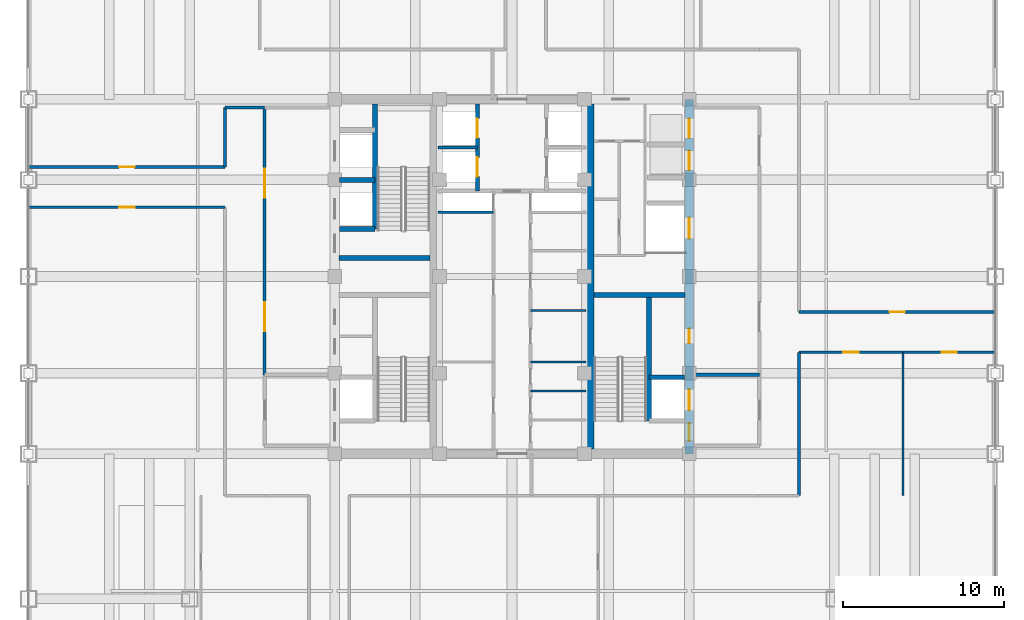
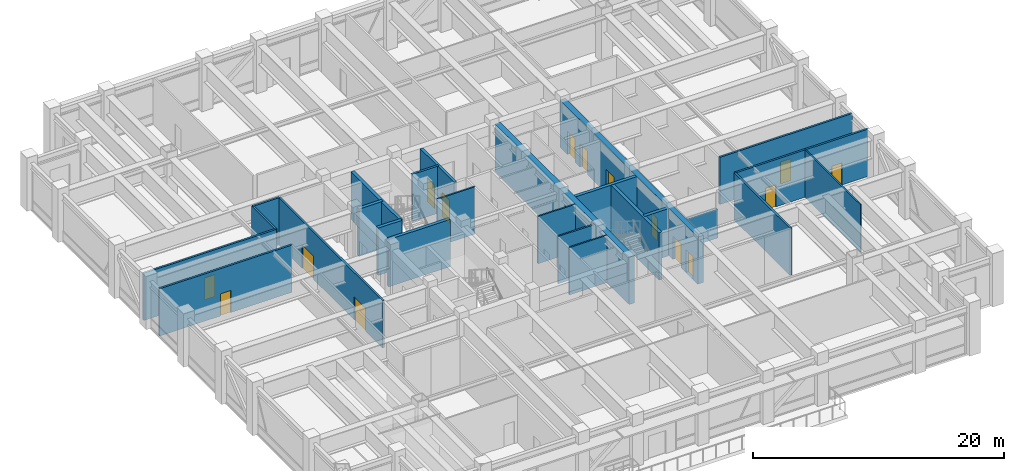
# One storey, part 25 of 33: 25 walls, 15 doors, 15 openings.
"""IFC4 building model written with IfcOpenShell, lengths in metres."""

from ifc_helpers import new_model, si_unit, direction, frame, frame_2d, origin, place, context, subcontext, project, spatial, rectangle, extrude, source, transform, mapped, material, layer, layer_set, type_object, element, fill, save


model = new_model("IFC4")

# Units and contexts
model_context = context("Model", 3, precision=1e-05, world=origin(), true_north=direction((0.0, 1.0)))
body_context = subcontext(model_context, "Body", "Model", "MODEL_VIEW")
ifc_project = project(units=[si_unit("LENGTHUNIT", "METRE"), si_unit("AREAUNIT", "SQUARE_METRE"), si_unit("VOLUMEUNIT", "CUBIC_METRE"), si_unit("PLANEANGLEUNIT", "RADIAN"), si_unit("MASSUNIT", "GRAM", prefix="KILO")], contexts=[model_context])

# Site, building, storey
site_placement = place(None, origin())
site = spatial("IfcSite", under=ifc_project, at=site_placement, CompositionType="ELEMENT")
building_placement = place(site_placement, origin())
building = spatial("IfcBuilding", under=site, at=building_placement, Name="Khorayat Bourse Tower", CompositionType="ELEMENT")
storey_placement = place(building_placement, frame((0.0, 0.0, 263.10009765625)))
storey = spatial("IfcBuildingStorey", under=building, at=storey_placement, Name="L62", CompositionType="ELEMENT", Elevation=263.10009765625)

# Wall, openings, doors
ifc_material_1 = material(Name="Concrete C52/65", Category="concrete")
ifc_layer_1 = layer(ifc_material_1, 0.5)
ifc_layer_set_1 = layer_set([ifc_layer_1], Name="Concrete C52/65")
wall_type_1 = type_object("IfcWallType", Name="WAL-CORE-500", PredefinedType="SHEAR", material=ifc_layer_set_1)
shared_shape_1 = source(origin(), body_context, "Body", "SweptSolid", [
    extrude(rectangle(XDim=22.0, YDim=0.5, at=frame_2d((11.0, 0.0))), origin(), (0.0, 0.0, 1.0), 4.599853515625),
])
wall_1_placement = place(storey_placement, frame((11.0, -11.0, 0.0), z_axis=(0.0, 0.0, 1.0), x_axis=(0.0, 1.0, 0.0)))
wall_1 = element("IfcWall", 1, at=wall_1_placement, inside=storey, type_object=wall_type_1, Name="L62 Core Shear Wall CORE-E", PredefinedType="SHEAR", context=body_context, shape_type="MappedRepresentation", body=[
    mapped(shared_shape_1, transform((0.0, 0.0, 0.0), scale=1.0)),
])
shared_shape_2 = source(origin(), body_context, "Body", "SweptSolid", [
    extrude(rectangle(XDim=1.10009765625, YDim=2.199951171875, at=frame_2d((0.550048828125, 1.10009765625))), frame((0.0, 0.260009765625, 0.0), z_axis=(0.0, -1.0, 0.0), x_axis=(1.0, 0.0, 0.0)), (0.0, 0.0, 1.0), 0.52001953125),
])
opening_1_placement = place(wall_1_placement, frame((0.800048828125, 0.0, 0.0)))
opening_1 = element("IfcOpeningElement", 2, at=opening_1_placement, cuts=wall_1, Name="Opening DI-01", PredefinedType="OPENING", context=body_context, shape_type="MappedRepresentation", body=[
    mapped(shared_shape_2, transform((0.0, 0.0, 0.0), scale=1.0)),
])
shared_shape_3 = source(origin(), body_context, "Body", "SweptSolid", [
    extrude(rectangle(XDim=0.89990234375, YDim=2.14990234375, at=frame_2d((0.449951171875, 1.074951171875))), frame((0.0, 0.260009765625, 0.0), z_axis=(0.0, -1.0, 0.0), x_axis=(1.0, 0.0, 0.0)), (0.0, 0.0, 1.0), 0.52001953125),
])
opening_2_placement = place(wall_1_placement, frame((6.85009765625, 0.0, 0.0)))
opening_2 = element("IfcOpeningElement", 3, at=opening_2_placement, cuts=wall_1, Name="Opening DI-06", PredefinedType="OPENING", context=body_context, shape_type="MappedRepresentation", body=[
    mapped(shared_shape_3, transform((0.0, 0.0, 0.0), scale=1.0)),
])
shared_shape_4 = source(origin(), body_context, "Body", "SweptSolid", [
    extrude(rectangle(XDim=1.199951171875, YDim=2.300048828125, at=frame_2d((0.60009765625, 1.14990234375))), frame((0.0, 0.260009765625, 0.0), z_axis=(0.0, -1.0, 0.0), x_axis=(1.0, 0.0, 0.0)), (0.0, 0.0, 1.0), 0.52001953125),
])
opening_3_placement = place(wall_1_placement, frame((17.60009765625, 0.0, 0.0)))
opening_3 = element("IfcOpeningElement", 4, at=opening_3_placement, cuts=wall_1, Name="Opening LD-01", PredefinedType="OPENING", context=body_context, shape_type="MappedRepresentation", body=[
    mapped(shared_shape_4, transform((0.0, 0.0, 0.0), scale=1.0)),
])
opening_4_placement = place(wall_1_placement, frame((19.60009765625, 0.0, 0.0)))
opening_4 = element("IfcOpeningElement", 5, at=opening_4_placement, cuts=wall_1, Name="Opening LD-01", PredefinedType="OPENING", context=body_context, shape_type="MappedRepresentation", body=[
    mapped(shared_shape_4, transform((0.0, 0.0, 0.0), scale=1.0)),
])
shared_shape_5 = source(origin(), body_context, "Body", "SweptSolid", [
    extrude(rectangle(XDim=1.300048828125, YDim=2.300048828125, at=frame_2d((0.64990234375, 1.14990234375))), frame((0.0, 0.260009765625, 0.0), z_axis=(0.0, -1.0, 0.0), x_axis=(1.0, 0.0, 0.0)), (0.0, 0.0, 1.0), 0.52001953125),
])
opening_5_placement = place(wall_1_placement, frame((2.699951171875, 0.0, 0.0)))
opening_5 = element("IfcOpeningElement", 6, at=opening_5_placement, cuts=wall_1, Name="Opening LD-02", PredefinedType="OPENING", context=body_context, shape_type="MappedRepresentation", body=[
    mapped(shared_shape_5, transform((0.0, 0.0, 0.0), scale=1.0)),
])
opening_6_placement = place(wall_1_placement, frame((13.35009765625, 0.0, 0.0)))
opening_6 = element("IfcOpeningElement", 7, at=opening_6_placement, cuts=wall_1, Name="Opening LD-02", PredefinedType="OPENING", context=body_context, shape_type="MappedRepresentation", body=[
    mapped(shared_shape_5, transform((0.0, 0.0, 0.0), scale=1.0)),
])
ifc_material_2 = material(Name="Fire-rated steel acoustic leaf", Category="steel")
door_type_1 = type_object("IfcDoorType", Name="DR-INT-STAIR-1100", OperationType="NOTDEFINED", PredefinedType="DOOR", material=ifc_material_2)
shared_shape_6 = source(origin(), body_context, "Body", "SweptSolid", [
    extrude(rectangle(XDim=1.10009765625, YDim=2.199951171875, at=frame_2d((0.550048828125, 1.10009765625))), frame((0.0, 0.02490234375, 0.0), z_axis=(0.0, -1.0, 0.0), x_axis=(1.0, 0.0, 0.0)), (0.0, 0.0, 1.0), 0.050048828125),
])
door_1_placement = place(opening_1_placement, origin())
door_1 = element("IfcDoor", 8, at=door_1_placement, inside=storey, type_object=door_type_1, Name="L62 Exit Stair 3 Door", OperationType="SINGLE_SWING_LEFT", OverallHeight=2.199951171875, OverallWidth=1.10009765625, PredefinedType="DOOR", context=body_context, shape_type="MappedRepresentation", body=[
    mapped(shared_shape_6, transform((0.0, 0.0, 0.0), scale=1.0)),
])
fill(opening_1, door_1)
ifc_material_3 = material(Name="Moisture-resistant laminate washroom door")
door_type_2 = type_object("IfcDoorType", Name="DR-INT-WC-900", OperationType="NOTDEFINED", PredefinedType="DOOR", material=ifc_material_3)
shared_shape_7 = source(origin(), body_context, "Body", "SweptSolid", [
    extrude(rectangle(XDim=0.89990234375, YDim=2.14990234375, at=frame_2d((0.449951171875, 1.074951171875))), frame((0.0, 0.02490234375, 0.0), z_axis=(0.0, -1.0, 0.0), x_axis=(1.0, 0.0, 0.0)), (0.0, 0.0, 1.0), 0.050048828125),
])
door_2_placement = place(opening_2_placement, origin())
door_2 = element("IfcDoor", 9, at=door_2_placement, inside=storey, type_object=door_type_2, Name="L62 Telecom Server Plant Room Door", OperationType="SINGLE_SWING_LEFT", OverallHeight=2.14990234375, OverallWidth=0.89990234375, PredefinedType="DOOR", context=body_context, shape_type="MappedRepresentation", body=[
    mapped(shared_shape_7, transform((0.0, 0.0, 0.0), scale=1.0)),
])
fill(opening_2, door_2)
ifc_material_4 = material(Name="Brushed bronze stainless-steel sliding door", Category="steel")
door_type_3 = type_object("IfcDoorType", Name="DR-LIFT-PASS-1200", OperationType="NOTDEFINED", PredefinedType="DOOR", material=ifc_material_4)
shared_shape_8 = source(origin(), body_context, "Body", "SweptSolid", [
    extrude(rectangle(XDim=1.199951171875, YDim=2.300048828125, at=frame_2d((0.60009765625, 1.14990234375))), frame((0.0, 0.02490234375, 0.0), z_axis=(0.0, -1.0, 0.0), x_axis=(1.0, 0.0, 0.0)), (0.0, 0.0, 1.0), 0.050048828125),
])
door_3_placement = place(opening_3_placement, origin())
door_3 = element("IfcDoor", 10, at=door_3_placement, inside=storey, type_object=door_type_3, Name="L62 Lift PL-H3 Sliding Landing Door", OperationType="SLIDING_TO_LEFT", OverallHeight=2.300048828125, OverallWidth=1.199951171875, PredefinedType="DOOR", context=body_context, shape_type="MappedRepresentation", body=[
    mapped(shared_shape_8, transform((0.0, 0.0, 0.0), scale=1.0)),
])
fill(opening_3, door_3)
door_4_placement = place(opening_4_placement, origin())
door_4 = element("IfcDoor", 11, at=door_4_placement, inside=storey, type_object=door_type_3, Name="L62 Lift PL-H4 Sliding Landing Door", OperationType="SLIDING_TO_LEFT", OverallHeight=2.300048828125, OverallWidth=1.199951171875, PredefinedType="DOOR", context=body_context, shape_type="MappedRepresentation", body=[
    mapped(shared_shape_8, transform((0.0, 0.0, 0.0), scale=1.0)),
])
fill(opening_4, door_4)
ifc_material_5 = material(Name="Fire-rated stainless-steel sliding landing door", Category="steel")
door_type_4 = type_object("IfcDoorType", Name="DR-LIFT-FF-1300", OperationType="NOTDEFINED", PredefinedType="DOOR", material=ifc_material_5)
shared_shape_9 = source(origin(), body_context, "Body", "SweptSolid", [
    extrude(rectangle(XDim=1.300048828125, YDim=2.300048828125, at=frame_2d((0.64990234375, 1.14990234375))), frame((0.0, 0.02490234375, 0.0), z_axis=(0.0, -1.0, 0.0), x_axis=(1.0, 0.0, 0.0)), (0.0, 0.0, 1.0), 0.050048828125),
])
door_5_placement = place(opening_5_placement, origin())
door_5 = element("IfcDoor", 12, at=door_5_placement, inside=storey, type_object=door_type_4, Name="L62 Lift FFL-02 Sliding Landing Door", OperationType="SLIDING_TO_LEFT", OverallHeight=2.300048828125, OverallWidth=1.300048828125, PredefinedType="DOOR", context=body_context, shape_type="MappedRepresentation", body=[
    mapped(shared_shape_9, transform((0.0, 0.0, 0.0), scale=1.0)),
])
fill(opening_5, door_5)
door_6_placement = place(opening_6_placement, origin())
door_6 = element("IfcDoor", 13, at=door_6_placement, inside=storey, type_object=door_type_4, Name="L62 Lift SVL-01 Sliding Landing Door", OperationType="SLIDING_TO_LEFT", OverallHeight=2.300048828125, OverallWidth=1.300048828125, PredefinedType="DOOR", context=body_context, shape_type="MappedRepresentation", body=[
    mapped(shared_shape_9, transform((0.0, 0.0, 0.0), scale=1.0)),
])
fill(opening_6, door_6)

# Walls
shared_shape_10 = source(origin(), body_context, "Body", "SweptSolid", [
    extrude(rectangle(XDim=21.39990234375, YDim=0.5, at=frame_2d((10.699951171875, 0.0))), origin(), (0.0, 0.0, 1.0), 4.599853515625),
])
wall_2_placement = place(storey_placement, frame((4.85009765625, -10.699951171875, 0.0), z_axis=(0.0, 0.0, 1.0), x_axis=(0.0, 1.0, 0.0)))
element("IfcWall", 14, at=wall_2_placement, inside=storey, type_object=wall_type_1, Name="L62 Core Shear Wall PIER-E", PredefinedType="SHEAR", context=body_context, shape_type="MappedRepresentation", body=[
    mapped(shared_shape_10, transform((0.0, 0.0, 0.0), scale=1.0)),
])
ifc_material_6 = material(Name="Concrete C50/60", Category="concrete")
ifc_layer_2 = layer(ifc_material_6, 0.300048828125)
ifc_layer_set_2 = layer_set([ifc_layer_2], Name="Concrete C50/60")
wall_type_2 = type_object("IfcWallType", Name="WAL-SHAFT-300", PredefinedType="SHEAR", material=ifc_layer_set_2)
shared_shape_11 = source(origin(), body_context, "Body", "SweptSolid", [
    extrude(rectangle(XDim=5.64990234375, YDim=0.300048828125, at=frame_2d((2.824951171875, 0.0))), origin(), (0.0, 0.0, 1.0), 4.599853515625),
])
for number, where, z_axis, x_axis, name in (
    (15, (-10.75, 1.14990234375, 0.0), (0.0, 0.0, 1.0), (1.0, 0.0, 0.0), "L62 Core Shear Wall ST2-DIV"),
    (16, (5.10009765625, -1.14990234375, 0.0), (0.0, 0.0, 1.0), (1.0, 0.0, 0.0), "L62 Core Shear Wall ST3-DIV"),
):
    element("IfcWall", number, at=place(storey_placement, frame(where, z_axis=z_axis, x_axis=x_axis)), inside=storey, type_object=wall_type_2, Name=name, PredefinedType="SHEAR", context=body_context, shape_type="MappedRepresentation", body=[
        mapped(shared_shape_11, transform((0.0, 0.0, 0.0), scale=1.0)),
    ])
shared_shape_12 = source(origin(), body_context, "Body", "SweptSolid", [
    extrude(rectangle(XDim=7.800048828125, YDim=0.300048828125, at=frame_2d((3.89990234375, 0.0))), origin(), (0.0, 0.0, 1.0), 4.599853515625),
])
wall_3_placement = place(storey_placement, frame((8.5, -8.949951171875, 0.0), z_axis=(0.0, 0.0, 1.0), x_axis=(0.0, 1.0, 0.0)))
element("IfcWall", 17, at=wall_3_placement, inside=storey, type_object=wall_type_2, Name="L62 Partition WAL-L62-EPIER-SP", PredefinedType="SHEAR", context=body_context, shape_type="MappedRepresentation", body=[
    mapped(shared_shape_12, transform((0.0, 0.0, 0.0), scale=1.0)),
])
shared_shape_13 = source(origin(), body_context, "Body", "SweptSolid", [
    extrude(rectangle(XDim=2.199951171875, YDim=0.300048828125, at=frame_2d((1.10009765625, 0.0))), origin(), (0.0, 0.0, 1.0), 4.599853515625),
])
for number, where, z_axis, x_axis, name in (
    (18, (-10.699951171875, 2.949951171875, 0.0), (0.0, 0.0, 1.0), (1.0, 0.0, 0.0), "L62 Partition WAL-L62-WPIER-H1S"),
    (19, (-10.699951171875, 6.0, 0.0), (0.0, 0.0, 1.0), (1.0, 0.0, 0.0), "L62 Partition WAL-L62-WPIER-H12"),
    (20, (8.5, -6.25, 0.0), (0.0, 0.0, 1.0), (1.0, 0.0, 0.0), "L62 Partition WAL-L62-EPIER-FF2N"),
):
    element("IfcWall", number, at=place(storey_placement, frame(where, z_axis=z_axis, x_axis=x_axis)), inside=storey, type_object=wall_type_2, Name=name, PredefinedType="SHEAR", context=body_context, shape_type="MappedRepresentation", body=[
        mapped(shared_shape_13, transform((0.0, 0.0, 0.0), scale=1.0)),
    ])
shared_shape_14 = source(origin(), body_context, "Body", "SweptSolid", [
    extrude(rectangle(XDim=7.75, YDim=0.300048828125, at=frame_2d((3.875, 0.0))), origin(), (0.0, 0.0, 1.0), 4.599853515625),
])
wall_4_placement = place(storey_placement, frame((-8.5, 2.949951171875, 0.0), z_axis=(0.0, 0.0, 1.0), x_axis=(0.0, 1.0, 0.0)))
element("IfcWall", 21, at=wall_4_placement, inside=storey, type_object=wall_type_2, Name="L62 Partition WAL-L62-WPIER-ST2S", PredefinedType="SHEAR", context=body_context, shape_type="MappedRepresentation", body=[
    mapped(shared_shape_14, transform((0.0, 0.0, 0.0), scale=1.0)),
])
ifc_material_7 = material(Name="Aerated concrete blockwork", Category="masonry")
ifc_layer_3 = layer(ifc_material_7, 0.219970703125)
ifc_layer_set_3 = layer_set([ifc_layer_3], Name="Aerated concrete blockwork")
wall_type_3 = type_object("IfcWallType", Name="WAL-PART-FF-220", PredefinedType="PARTITIONING", material=ifc_layer_set_3)
shared_shape_15 = source(origin(), body_context, "Body", "SweptSolid", [
    extrude(rectangle(XDim=4.050048828125, YDim=0.219970703125, at=frame_2d((2.02490234375, 0.0))), origin(), (0.0, 0.0, 1.0), 2.7998046875),
])
wall_5_placement = place(storey_placement, frame((11.300048828125, -6.10009765625, 0.0), z_axis=(0.0, 0.0, 1.0), x_axis=(1.0, 0.0, 0.0)))
element("IfcWall", 22, at=wall_5_placement, inside=storey, type_object=wall_type_3, Name="L62 Partition WAL-L62-FFLE-N", PredefinedType="PARTITIONING", context=body_context, shape_type="MappedRepresentation", body=[
    mapped(shared_shape_15, transform((0.0, 0.0, 0.0), scale=1.0)),
])

# Wall, openings, doors
ifc_material_8 = material(Name="Gypsum plasterboard acoustic stud wall")
ifc_layer_4 = layer(ifc_material_8, 0.179931640625)
ifc_layer_set_4 = layer_set([ifc_layer_4], Name="Gypsum plasterboard acoustic stud wall")
wall_type_4 = type_object("IfcWallType", Name="WAL-PART-CORR-180", PredefinedType="PARTITIONING", material=ifc_layer_set_4)
shared_shape_16 = source(origin(), body_context, "Body", "SweptSolid", [
    extrude(rectangle(XDim=16.60009765625, YDim=0.179931640625, at=frame_2d((8.300048828125, 0.0))), origin(), (0.0, 0.0, 1.0), 4.599853515625),
])
wall_6_placement = place(storey_placement, frame((-15.35009765625, -6.10009765625, 0.0), z_axis=(0.0, 0.0, 1.0), x_axis=(0.0, 1.0, 0.0)))
wall_6 = element("IfcWall", 23, at=wall_6_placement, inside=storey, type_object=wall_type_4, Name="L62 Partition WAL-L62-WLOB-W", PredefinedType="PARTITIONING", context=body_context, shape_type="MappedRepresentation", body=[
    mapped(shared_shape_16, transform((0.0, 0.0, 0.0), scale=1.0)),
])
shared_shape_17 = source(origin(), body_context, "Body", "SweptSolid", [
    extrude(rectangle(XDim=1.800048828125, YDim=2.25, at=frame_2d((0.89990234375, 1.125))), frame((0.0, 0.099853515625, 0.0), z_axis=(0.0, -1.0, 0.0), x_axis=(1.0, 0.0, 0.0)), (0.0, 0.0, 1.0), 0.199951171875),
])
opening_7_placement = place(wall_6_placement, frame((2.699951171875, 0.0, 0.0)))
opening_7 = element("IfcOpeningElement", 24, at=opening_7_placement, cuts=wall_6, Name="Opening DI-03", PredefinedType="OPENING", context=body_context, shape_type="MappedRepresentation", body=[
    mapped(shared_shape_17, transform((0.0, 0.0, 0.0), scale=1.0)),
])
opening_8_placement = place(wall_6_placement, frame((11.0, 0.0, 0.0)))
opening_8 = element("IfcOpeningElement", 25, at=opening_8_placement, cuts=wall_6, Name="Opening DI-03", PredefinedType="OPENING", context=body_context, shape_type="MappedRepresentation", body=[
    mapped(shared_shape_17, transform((0.0, 0.0, 0.0), scale=1.0)),
])
ifc_material_9 = material(Name="Fire-rated hardwood vision-panel double leaf", Category="wood")
door_type_5 = type_object("IfcDoorType", Name="DR-INT-CORR-1800", OperationType="NOTDEFINED", PredefinedType="DOOR", material=ifc_material_9)
shared_shape_18 = source(origin(), body_context, "Body", "SweptSolid", [
    extrude(rectangle(XDim=1.800048828125, YDim=2.25, at=frame_2d((0.89990234375, 1.125))), frame((0.0, 0.02490234375, 0.0), z_axis=(0.0, -1.0, 0.0), x_axis=(1.0, 0.0, 0.0)), (0.0, 0.0, 1.0), 0.050048828125),
])
door_7_placement = place(opening_7_placement, origin())
door_7 = element("IfcDoor", 26, at=door_7_placement, inside=storey, type_object=door_type_5, Name="L62 West Core Lobby South Door", OperationType="SINGLE_SWING_LEFT", OverallHeight=2.25, OverallWidth=1.800048828125, PredefinedType="DOOR", context=body_context, shape_type="MappedRepresentation", body=[
    mapped(shared_shape_18, transform((0.0, 0.0, 0.0), scale=1.0)),
])
fill(opening_7, door_7)
door_8_placement = place(opening_8_placement, origin())
door_8 = element("IfcDoor", 27, at=door_8_placement, inside=storey, type_object=door_type_5, Name="L62 West Core Lobby North Door", OperationType="SINGLE_SWING_RIGHT", OverallHeight=2.25, OverallWidth=1.800048828125, PredefinedType="DOOR", context=body_context, shape_type="MappedRepresentation", body=[
    mapped(shared_shape_18, transform((0.0, 0.0, 0.0), scale=1.0)),
])
fill(opening_8, door_8)

# Walls
ifc_material_10 = material(Name="Gypsum plasterboard twin-frame partition")
ifc_layer_5 = layer(ifc_material_10, 0.14990234375)
ifc_layer_set_5 = layer_set([ifc_layer_5], Name="Gypsum plasterboard twin-frame partition")
wall_type_5 = type_object("IfcWallType", Name="WAL-PART-SUITE-150", PredefinedType="PARTITIONING", material=ifc_layer_set_5)
shared_shape_19 = source(origin(), body_context, "Body", "SweptSolid", [
    extrude(rectangle(XDim=3.4501953125, YDim=0.14990234375, at=frame_2d((1.72509765625, 0.0))), origin(), (0.0, 0.0, 1.0), 4.599853515625),
])
for number, where, z_axis, x_axis, name in (
    (28, (-4.60009765625, 4.0, 0.0), (0.0, 0.0, 1.0), (1.0, 0.0, 0.0), "L62 Partition WAL-L62-CRSW-S"),
    (29, (1.14990234375, -5.300048828125, 0.0), (0.0, 0.0, 1.0), (1.0, 0.0, 0.0), "L62 Partition WAL-L62-FB1-NE"),
):
    element("IfcWall", number, at=place(storey_placement, frame(where, z_axis=z_axis, x_axis=x_axis)), inside=storey, type_object=wall_type_5, Name=name, PredefinedType="PARTITIONING", context=body_context, shape_type="MappedRepresentation", body=[
        mapped(shared_shape_19, transform((0.0, 0.0, 0.0), scale=1.0)),
    ])
ifc_material_11 = material(Name="Moisture-resistant masonry partition", Category="masonry")
ifc_layer_6 = layer(ifc_material_11, 0.139892578125)
ifc_layer_set_6 = layer_set([ifc_layer_6], Name="Moisture-resistant masonry partition")
wall_type_6 = type_object("IfcWallType", Name="WAL-PART-WET-140", PredefinedType="PARTITIONING", material=ifc_layer_set_6)
shared_shape_20 = source(origin(), body_context, "Body", "SweptSolid", [
    extrude(rectangle(XDim=3.4501953125, YDim=0.139892578125, at=frame_2d((1.72509765625, 0.0))), origin(), (0.0, 0.0, 1.0), 4.599853515625),
])
for number, where, z_axis, x_axis, name in (
    (30, (1.14990234375, -7.10009765625, 0.0), (0.0, 0.0, 1.0), (1.0, 0.0, 0.0), "L62 Partition WAL-L62-FB1E-D2"),
    (31, (1.14990234375, -2.10009765625, 0.0), (0.0, 0.0, 1.0), (1.0, 0.0, 0.0), "L62 Partition WAL-L62-CME-D1"),
):
    element("IfcWall", number, at=place(storey_placement, frame(where, z_axis=z_axis, x_axis=x_axis)), inside=storey, type_object=wall_type_6, Name=name, PredefinedType="PARTITIONING", context=body_context, shape_type="MappedRepresentation", body=[
        mapped(shared_shape_20, transform((0.0, 0.0, 0.0), scale=1.0)),
    ])

# Wall, openings, doors
shared_shape_21 = source(origin(), body_context, "Body", "SweptSolid", [
    extrude(rectangle(XDim=5.39990234375, YDim=0.25, at=frame_2d((2.699951171875, 0.0))), origin(), (0.0, 0.0, 1.0), 4.599853515625),
])
wall_7_placement = place(storey_placement, frame((-2.14990234375, 5.300048828125, 0.0), z_axis=(0.0, 0.0, 1.0), x_axis=(0.0, 1.0, 0.0)))
wall_7 = element("IfcWall", 32, at=wall_7_placement, inside=storey, type_object=wall_type_2, Name="L62 Partition WAL-L62-B2-W", PredefinedType="SHEAR", context=body_context, shape_type="MappedRepresentation", body=[
    mapped(shared_shape_21, transform((0.0, 0.0, 0.0), scale=1.0)),
])
shared_shape_22 = source(origin(), body_context, "Body", "SweptSolid", [
    extrude(rectangle(XDim=1.199951171875, YDim=2.300048828125, at=frame_2d((0.60009765625, 1.14990234375))), frame((0.0, 0.135009765625, 0.0), z_axis=(0.0, -1.0, 0.0), x_axis=(1.0, 0.0, 0.0)), (0.0, 0.0, 1.0), 0.27001953125),
])
opening_9_placement = place(wall_7_placement, frame((3.300048828125, 0.0, 0.0)))
opening_9 = element("IfcOpeningElement", 33, at=opening_9_placement, cuts=wall_7, Name="Opening LD-01", PredefinedType="OPENING", context=body_context, shape_type="MappedRepresentation", body=[
    mapped(shared_shape_22, transform((0.0, 0.0, 0.0), scale=1.0)),
])
opening_10_placement = place(wall_7_placement, frame((0.89990234375, 0.0, 0.0)))
opening_10 = element("IfcOpeningElement", 34, at=opening_10_placement, cuts=wall_7, Name="Opening LD-01", PredefinedType="OPENING", context=body_context, shape_type="MappedRepresentation", body=[
    mapped(shared_shape_22, transform((0.0, 0.0, 0.0), scale=1.0)),
])
door_9_placement = place(opening_9_placement, origin())
door_9 = element("IfcDoor", 35, at=door_9_placement, inside=storey, type_object=door_type_3, Name="L62 Lift PL-M1 Sliding Landing Door", OperationType="SLIDING_TO_LEFT", OverallHeight=2.300048828125, OverallWidth=1.199951171875, PredefinedType="DOOR", context=body_context, shape_type="MappedRepresentation", body=[
    mapped(shared_shape_8, transform((0.0, 0.0, 0.0), scale=1.0)),
])
fill(opening_9, door_9)
door_10_placement = place(opening_10_placement, origin())
door_10 = element("IfcDoor", 36, at=door_10_placement, inside=storey, type_object=door_type_3, Name="L62 Lift PL-M3 Sliding Landing Door", OperationType="SLIDING_TO_LEFT", OverallHeight=2.300048828125, OverallWidth=1.199951171875, PredefinedType="DOOR", context=body_context, shape_type="MappedRepresentation", body=[
    mapped(shared_shape_8, transform((0.0, 0.0, 0.0), scale=1.0)),
])
fill(opening_10, door_10)

# Walls
shared_shape_23 = source(origin(), body_context, "Body", "SweptSolid", [
    extrude(rectangle(XDim=2.4501953125, YDim=0.199951171875, at=frame_2d((1.22509765625, 0.0))), origin(), (0.0, 0.0, 1.0), 4.599853515625),
])
wall_8_placement = place(storey_placement, frame((-4.60009765625, 8.0, 0.0), z_axis=(0.0, 0.0, 1.0), x_axis=(1.0, 0.0, 0.0)))
element("IfcWall", 37, at=wall_8_placement, inside=storey, type_object=wall_type_2, Name="L62 Partition WAL-L62-B2-MW", PredefinedType="SHEAR", context=body_context, shape_type="MappedRepresentation", body=[
    mapped(shared_shape_23, transform((0.0, 0.0, 0.0), scale=1.0)),
])
shared_shape_24 = source(origin(), body_context, "Body", "SweptSolid", [
    extrude(rectangle(XDim=2.449951171875, YDim=0.179931640625, at=frame_2d((1.22509765625, 0.0))), origin(), (0.0, 0.0, 1.0), 4.599853515625),
])
wall_9_placement = place(storey_placement, frame((-17.800048828125, 10.5, 0.0), z_axis=(0.0, 0.0, 1.0), x_axis=(1.0, 0.0, 0.0)))
element("IfcWall", 38, at=wall_9_placement, inside=storey, type_object=wall_type_4, Name="L62 Partition WAL-L62-C2-WN", PredefinedType="PARTITIONING", context=body_context, shape_type="MappedRepresentation", body=[
    mapped(shared_shape_24, transform((0.0, 0.0, 0.0), scale=1.0)),
])

# Wall, opening, door
shared_shape_25 = source(origin(), body_context, "Body", "SweptSolid", [
    extrude(rectangle(XDim=12.199951171875, YDim=0.179931640625, at=frame_2d((6.10009765625, 0.0))), origin(), (0.0, 0.0, 1.0), 4.599853515625),
])
wall_10_placement = place(storey_placement, frame((-30.0, 4.300048828125, 0.0), z_axis=(0.0, 0.0, 1.0), x_axis=(1.0, 0.0, 0.0)))
wall_10 = element("IfcWall", 39, at=wall_10_placement, inside=storey, type_object=wall_type_4, Name="L62 Partition WAL-L62-WS-SPK", PredefinedType="PARTITIONING", context=body_context, shape_type="MappedRepresentation", body=[
    mapped(shared_shape_25, transform((0.0, 0.0, 0.0), scale=1.0)),
])
shared_shape_26 = source(origin(), body_context, "Body", "SweptSolid", [
    extrude(rectangle(XDim=0.949951171875, YDim=2.14990234375, at=frame_2d((0.47509765625, 1.074951171875))), frame((0.0, 0.099853515625, 0.0), z_axis=(0.0, -1.0, 0.0), x_axis=(1.0, 0.0, 0.0)), (0.0, 0.0, 1.0), 0.199951171875),
])
opening_11_placement = place(wall_10_placement, frame((5.625, 0.0, 0.0)))
opening_11 = element("IfcOpeningElement", 40, at=opening_11_placement, cuts=wall_10, Name="Opening DI-05", PredefinedType="OPENING", context=body_context, shape_type="MappedRepresentation", body=[
    mapped(shared_shape_26, transform((0.0, 0.0, 0.0), scale=1.0)),
])
ifc_material_12 = material(Name="Acoustic oak veneer office door")
door_type_6 = type_object("IfcDoorType", Name="DR-INT-OFFICE-950", OperationType="NOTDEFINED", PredefinedType="DOOR", material=ifc_material_12)
shared_shape_27 = source(origin(), body_context, "Body", "SweptSolid", [
    extrude(rectangle(XDim=0.949951171875, YDim=2.14990234375, at=frame_2d((0.47509765625, 1.074951171875))), frame((0.0, 0.02490234375, 0.0), z_axis=(0.0, -1.0, 0.0), x_axis=(1.0, 0.0, 0.0)), (0.0, 0.0, 1.0), 0.050048828125),
])
door_11_placement = place(opening_11_placement, origin())
door_11 = element("IfcDoor", 41, at=door_11_placement, inside=storey, type_object=door_type_6, Name="L62 Members Exchange Lounge WS Door", OperationType="SINGLE_SWING_LEFT", OverallHeight=2.14990234375, OverallWidth=0.949951171875, PredefinedType="DOOR", context=body_context, shape_type="MappedRepresentation", body=[
    mapped(shared_shape_27, transform((0.0, 0.0, 0.0), scale=1.0)),
])
fill(opening_11, door_11)

wall_11_placement = place(storey_placement, frame((-30.0, 6.800048828125, 0.0), z_axis=(0.0, 0.0, 1.0), x_axis=(1.0, 0.0, 0.0)))
wall_11 = element("IfcWall", 42, at=wall_11_placement, inside=storey, type_object=wall_type_4, Name="L62 Partition WAL-L62-WN-SPK", PredefinedType="PARTITIONING", context=body_context, shape_type="MappedRepresentation", body=[
    mapped(shared_shape_25, transform((0.0, 0.0, 0.0), scale=1.0)),
])
opening_12_placement = place(wall_11_placement, frame((5.625, 0.0, 0.0)))
opening_12 = element("IfcOpeningElement", 43, at=opening_12_placement, cuts=wall_11, Name="Opening DI-05", PredefinedType="OPENING", context=body_context, shape_type="MappedRepresentation", body=[
    mapped(shared_shape_26, transform((0.0, 0.0, 0.0), scale=1.0)),
])
door_12_placement = place(opening_12_placement, origin())
door_12 = element("IfcDoor", 44, at=door_12_placement, inside=storey, type_object=door_type_6, Name="L62 Members Dining Room WN Door", OperationType="SINGLE_SWING_LEFT", OverallHeight=2.14990234375, OverallWidth=0.949951171875, PredefinedType="DOOR", context=body_context, shape_type="MappedRepresentation", body=[
    mapped(shared_shape_27, transform((0.0, 0.0, 0.0), scale=1.0)),
])
fill(opening_12, door_12)

# Wall, openings, doors
wall_12_placement = place(storey_placement, frame((17.800048828125, -4.699951171875, 0.0), z_axis=(0.0, 0.0, 1.0), x_axis=(1.0, 0.0, 0.0)))
wall_12 = element("IfcWall", 45, at=wall_12_placement, inside=storey, type_object=wall_type_4, Name="L62 Partition WAL-L62-ES-SPK", PredefinedType="PARTITIONING", context=body_context, shape_type="MappedRepresentation", body=[
    mapped(shared_shape_25, transform((0.0, 0.0, 0.0), scale=1.0)),
])
opening_13_placement = place(wall_12_placement, frame((2.758056640625, 0.0, 0.0)))
opening_13 = element("IfcOpeningElement", 46, at=opening_13_placement, cuts=wall_12, Name="Opening DI-05", PredefinedType="OPENING", context=body_context, shape_type="MappedRepresentation", body=[
    mapped(shared_shape_26, transform((0.0, 0.0, 0.0), scale=1.0)),
])
opening_14_placement = place(wall_12_placement, frame((8.85791015625, 0.0, 0.0)))
opening_14 = element("IfcOpeningElement", 47, at=opening_14_placement, cuts=wall_12, Name="Opening DI-05", PredefinedType="OPENING", context=body_context, shape_type="MappedRepresentation", body=[
    mapped(shared_shape_26, transform((0.0, 0.0, 0.0), scale=1.0)),
])
door_13_placement = place(opening_13_placement, origin())
door_13 = element("IfcDoor", 48, at=door_13_placement, inside=storey, type_object=door_type_6, Name="L62 Members Club Room ESA Door", OperationType="SINGLE_SWING_LEFT", OverallHeight=2.14990234375, OverallWidth=0.949951171875, PredefinedType="DOOR", context=body_context, shape_type="MappedRepresentation", body=[
    mapped(shared_shape_27, transform((0.0, 0.0, 0.0), scale=1.0)),
])
fill(opening_13, door_13)
door_14_placement = place(opening_14_placement, origin())
door_14 = element("IfcDoor", 49, at=door_14_placement, inside=storey, type_object=door_type_6, Name="L62 Executive Wellness Fitness Gym ESB Door", OperationType="SINGLE_SWING_RIGHT", OverallHeight=2.14990234375, OverallWidth=0.949951171875, PredefinedType="DOOR", context=body_context, shape_type="MappedRepresentation", body=[
    mapped(shared_shape_27, transform((0.0, 0.0, 0.0), scale=1.0)),
])
fill(opening_14, door_14)

# Wall, opening, door
wall_13_placement = place(storey_placement, frame((17.800048828125, -2.199951171875, 0.0), z_axis=(0.0, 0.0, 1.0), x_axis=(1.0, 0.0, 0.0)))
wall_13 = element("IfcWall", 50, at=wall_13_placement, inside=storey, type_object=wall_type_4, Name="L62 Partition WAL-L62-EN-SPK", PredefinedType="PARTITIONING", context=body_context, shape_type="MappedRepresentation", body=[
    mapped(shared_shape_25, transform((0.0, 0.0, 0.0), scale=1.0)),
])
opening_15_placement = place(wall_13_placement, frame((5.625, 0.0, 0.0)))
opening_15 = element("IfcOpeningElement", 51, at=opening_15_placement, cuts=wall_13, Name="Opening DI-05", PredefinedType="OPENING", context=body_context, shape_type="MappedRepresentation", body=[
    mapped(shared_shape_26, transform((0.0, 0.0, 0.0), scale=1.0)),
])
door_15_placement = place(opening_15_placement, origin())
door_15 = element("IfcDoor", 52, at=door_15_placement, inside=storey, type_object=door_type_6, Name="L62 Brokerage Member Kiosk EN Door", OperationType="SINGLE_SWING_LEFT", OverallHeight=2.14990234375, OverallWidth=0.949951171875, PredefinedType="DOOR", context=body_context, shape_type="MappedRepresentation", body=[
    mapped(shared_shape_27, transform((0.0, 0.0, 0.0), scale=1.0)),
])
fill(opening_15, door_15)

# Walls
shared_shape_28 = source(origin(), body_context, "Body", "SweptSolid", [
    extrude(rectangle(XDim=3.699951171875, YDim=0.179931640625, at=frame_2d((1.85009765625, 0.0))), origin(), (0.0, 0.0, 1.0), 4.599853515625),
])
wall_14_placement = place(storey_placement, frame((-17.800048828125, 6.800048828125, 0.0), z_axis=(0.0, 0.0, 1.0), x_axis=(0.0, 1.0, 0.0)))
element("IfcWall", 53, at=wall_14_placement, inside=storey, type_object=wall_type_4, Name="L62 Partition WAL-L62-WN-IN", PredefinedType="PARTITIONING", context=body_context, shape_type="MappedRepresentation", body=[
    mapped(shared_shape_28, transform((0.0, 0.0, 0.0), scale=1.0)),
])
ifc_material_13 = material(Name="Gypsum plasterboard partition")
ifc_layer_7 = layer(ifc_material_13, 0.125)
ifc_layer_set_7 = layer_set([ifc_layer_7], Name="Gypsum plasterboard partition")
wall_type_7 = type_object("IfcWallType", Name="WAL-PART-ROOM-125", PredefinedType="PARTITIONING", material=ifc_layer_set_7)
shared_shape_29 = source(origin(), body_context, "Body", "SweptSolid", [
    extrude(rectangle(XDim=8.900146484375, YDim=0.125, at=frame_2d((4.4501953125, 0.0))), origin(), (0.0, 0.0, 1.0), 4.599853515625),
])
wall_15_placement = place(storey_placement, frame((24.26611328125, -13.60009765625, 0.0), z_axis=(0.0, 0.0, 1.0), x_axis=(0.0, 1.0, 0.0)))
element("IfcWall", 54, at=wall_15_placement, inside=storey, type_object=wall_type_7, Name="L62 Partition WAL-L62-ES-DV", PredefinedType="PARTITIONING", context=body_context, shape_type="MappedRepresentation", body=[
    mapped(shared_shape_29, transform((0.0, 0.0, 0.0), scale=1.0)),
])
shared_shape_30 = source(origin(), body_context, "Body", "SweptSolid", [
    extrude(rectangle(XDim=8.900146484375, YDim=0.179931640625, at=frame_2d((4.4501953125, 0.0))), origin(), (0.0, 0.0, 1.0), 4.599853515625),
])
wall_16_placement = place(storey_placement, frame((17.800048828125, -13.60009765625, 0.0), z_axis=(0.0, 0.0, 1.0), x_axis=(0.0, 1.0, 0.0)))
element("IfcWall", 55, at=wall_16_placement, inside=storey, type_object=wall_type_4, Name="L62 Partition WAL-L62-ES-IN", PredefinedType="PARTITIONING", context=body_context, shape_type="MappedRepresentation", body=[
    mapped(shared_shape_30, transform((0.0, 0.0, 0.0), scale=1.0)),
])

save(model, "model.ifc")
